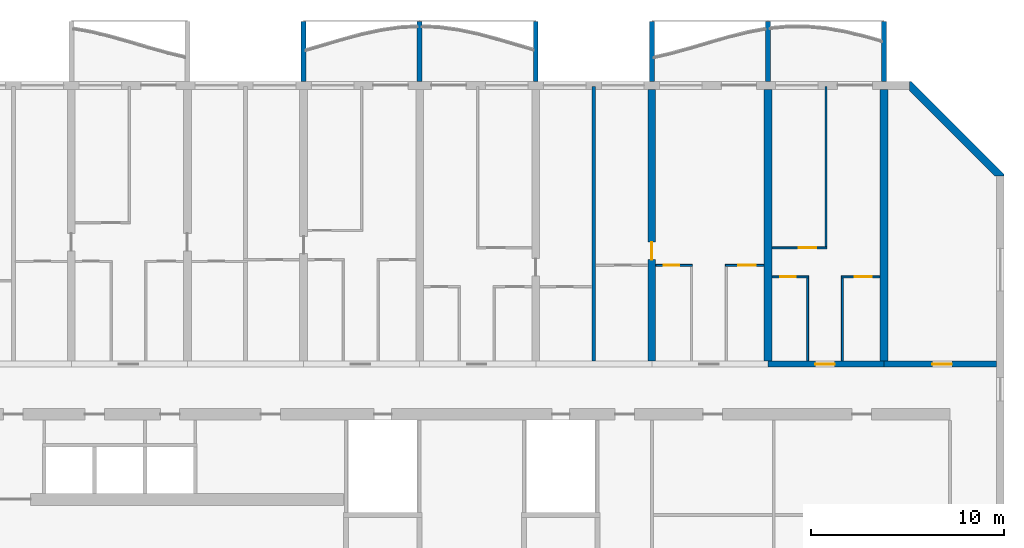
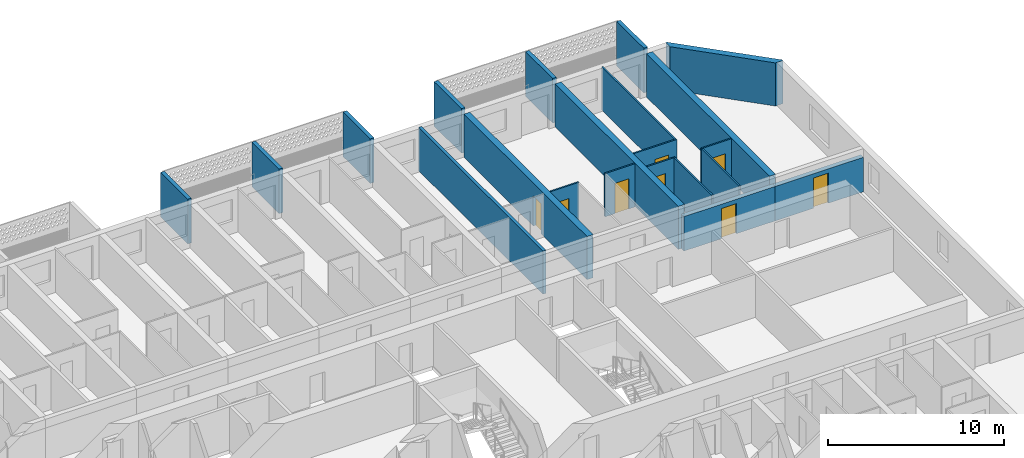
# One storey, part 17 of 38: 21 walls, 8 doors, 8 openings.
"""IFC4 building model written with IfcOpenShell, lengths in metres."""

import ifcopenshell
import ifcopenshell.guid

model = None  # the IFC model being written
_history = None  # IfcOwnerHistory: only IFC2X3 demands one
_inside = {}  # id of a spatial element -> (the spatial element, [elements in it])
_under = {}  # id of a project, library or spatial element -> (it, [spatial elements below it])
_declared = {}  # id of a project -> (the project, [libraries it declares])
_typed = {}  # id of a type object -> (the type object, [elements of that type])
_made_of = {}  # id of a material, layer set ... -> (it, [elements and type objects made of it])


def new_model(schema):
    """Start an empty IFC model of exactly this schema.

    Asked for "IFC4X3", IfcOpenShell would pick the latest addendum, in which some entities
    have other attributes; the version numbers below select the first issue.
    IFC2X3 requires an IfcOwnerHistory on every rooted entity: one is made here for all.
    """
    global model, _history
    if schema == "IFC4X3":
        model = ifcopenshell.file(schema_version=(4, 3, 0, 0))
    else:
        model = ifcopenshell.file(schema=schema)
    _inside.clear()
    _under.clear()
    _declared.clear()
    _typed.clear()
    _made_of.clear()
    _history = None
    if model.schema == "IFC2X3":
        org = make("IfcOrganization", Name="unknown")
        user = make(
            "IfcPersonAndOrganization",
            ThePerson=make("IfcPerson", FamilyName="unknown"),
            TheOrganization=org,
        )
        app = make(
            "IfcApplication",
            ApplicationDeveloper=org,
            Version="unknown",
            ApplicationFullName="unknown",
            ApplicationIdentifier="unknown",
        )
        _history = make(
            "IfcOwnerHistory",
            OwningUser=user,
            OwningApplication=app,
            ChangeAction="ADDED",
            CreationDate=0,
        )
    return model


def make(cls, **values):
    """One entity of the class cls with the attributes given. An attribute that is None is left unset."""
    return model.create_entity(
        cls, **{name: value for name, value in values.items() if value is not None}
    )


def rooted(cls, **values):
    """An entity with a GlobalId (a new one), such as an element, a storey or a relation."""
    return make(cls, GlobalId=ifcopenshell.guid.new(), OwnerHistory=_history, **values)


def si_unit(unit_type, name, prefix=None):
    """IfcSIUnit, for example si_unit("LENGTHUNIT", "METRE", prefix="MILLI")."""
    return make("IfcSIUnit", UnitType=unit_type, Prefix=prefix, Name=name)


def assignment(units):
    """IfcUnitAssignment: the units of a project."""
    return None if units is None else make("IfcUnitAssignment", Units=units)


def point(xyz):
    """IfcCartesianPoint."""
    return None if xyz is None else make("IfcCartesianPoint", Coordinates=xyz)


def direction(xyz):
    """IfcDirection."""
    return None if xyz is None else make("IfcDirection", DirectionRatios=xyz)


def frame(location, z_axis=None, x_axis=None):
    """IfcAxis2Placement3D, a coordinate frame: its origin and axes. An axis left out is left unset."""
    return make(
        "IfcAxis2Placement3D",
        Location=point(location),
        Axis=direction(z_axis),
        RefDirection=direction(x_axis),
    )


def frame_2d(location, x_axis=None):
    """IfcAxis2Placement2D, a coordinate frame in the plane: its origin and x axis."""
    return make(
        "IfcAxis2Placement2D", Location=point(location), RefDirection=direction(x_axis)
    )


def origin():
    """The frame at (0, 0, 0) with its axes left unset."""
    return frame((0.0, 0.0, 0.0))


def place(relative_to, where):
    """IfcLocalPlacement: puts the frame where relative to a parent placement (None: the world)."""
    return make(
        "IfcLocalPlacement", PlacementRelTo=relative_to, RelativePlacement=where
    )


def context(
    kind, dimensions, precision=None, world=None, true_north=None, identifier=None
):
    """IfcGeometricRepresentationContext, for example the 3D "Model" context."""
    return make(
        "IfcGeometricRepresentationContext",
        ContextIdentifier=identifier,
        ContextType=kind,
        CoordinateSpaceDimension=dimensions,
        Precision=precision,
        WorldCoordinateSystem=world,
        TrueNorth=true_north,
    )


def subcontext(parent, identifier, kind, view, scale=None):
    """IfcGeometricRepresentationSubContext, for example "Body" below "Model"."""
    return make(
        "IfcGeometricRepresentationSubContext",
        ContextIdentifier=identifier,
        ContextType=kind,
        ParentContext=parent,
        TargetScale=scale,
        TargetView=view,
    )


def project(units=None, contexts=None):
    """IfcProject with its units and contexts."""
    return rooted(
        "IfcProject",
        Name="project",
        RepresentationContexts=contexts,
        UnitsInContext=assignment(units),
    )


def spatial(cls, under=None, at=None, **own):
    """A site, building, storey or space (cls), placed at a placement, below another one or the project."""
    s = rooted(cls, ObjectPlacement=at, **own)
    if under is not None:
        _under.setdefault(under.id(), (under, []))[1].append(s)
    return s


def polyline(points):
    """IfcPolyline through the points."""
    return make("IfcPolyline", Points=[point(p) for p in points])


def profile(cls, at=None, kind="AREA", **sizes):
    """A parametric profile (cls). Its sizes go by their IFC names, for example OverallWidth=200.0."""
    return make(cls, ProfileType=kind, Position=at, **sizes)


def rectangle(**sizes):
    """IfcRectangleProfileDef."""
    return profile("IfcRectangleProfileDef", **sizes)


def outline(outer, holes=None, kind="AREA"):
    """IfcArbitraryClosedProfileDef: a profile drawn as a closed curve; with holes, ...WithVoids."""
    if holes is None:
        return make("IfcArbitraryClosedProfileDef", ProfileType=kind, OuterCurve=outer)
    return make(
        "IfcArbitraryProfileDefWithVoids",
        ProfileType=kind,
        OuterCurve=outer,
        InnerCurves=holes,
    )


def extrude(swept, where, along, depth):
    """IfcExtrudedAreaSolid: the profile swept, set in the frame where, extruded along a direction by depth."""
    return make(
        "IfcExtrudedAreaSolid",
        SweptArea=swept,
        Position=where,
        ExtrudedDirection=direction(along),
        Depth=depth,
    )


def shape(context_of_items, identifier, shape_type, items):
    """IfcShapeRepresentation: the items that make up one representation, for example the "Body"."""
    return make(
        "IfcShapeRepresentation",
        ContextOfItems=context_of_items,
        RepresentationIdentifier=identifier,
        RepresentationType=shape_type,
        Items=items,
    )


def source(mapping_origin, context_of_items, identifier, shape_type, items):
    """IfcRepresentationMap: a shape defined once, which mapped items show again and again."""
    return make(
        "IfcRepresentationMap",
        MappingOrigin=mapping_origin,
        MappedRepresentation=shape(context_of_items, identifier, shape_type, items),
    )


def transform(
    local_origin,
    x_axis=None,
    y_axis=None,
    z_axis=None,
    scale=None,
    scale2=None,
    scale3=None,
    uniform=True,
):
    """IfcCartesianTransformationOperator3D, or its non-uniform kind. x_axis, y_axis, z_axis: its Axis1, 2, 3."""
    if uniform:
        return make(
            "IfcCartesianTransformationOperator3D",
            Axis1=direction(x_axis),
            Axis2=direction(y_axis),
            LocalOrigin=point(local_origin),
            Scale=scale,
            Axis3=direction(z_axis),
        )
    return make(
        "IfcCartesianTransformationOperator3DnonUniform",
        Axis1=direction(x_axis),
        Axis2=direction(y_axis),
        LocalOrigin=point(local_origin),
        Scale=scale,
        Axis3=direction(z_axis),
        Scale2=scale2,
        Scale3=scale3,
    )


def mapped(mapping_source, mapping_target):
    """IfcMappedItem: shows the shape of a source again, moved by a transform."""
    return make(
        "IfcMappedItem", MappingSource=mapping_source, MappingTarget=mapping_target
    )


def material(Name=None, Category=None):
    """IfcMaterial."""
    return make("IfcMaterial", Name=Name, Category=Category)


def layer(
    of_material, thickness, ventilated=None, Name=None, Category=None, Priority=None
):
    """IfcMaterialLayer: one layer of a wall or slab, of a material (None: an air gap)."""
    return make(
        "IfcMaterialLayer",
        Material=of_material,
        LayerThickness=thickness,
        IsVentilated=ventilated,
        Name=Name,
        Category=Category,
        Priority=Priority,
    )


def layer_set(layers, Name=None):
    """IfcMaterialLayerSet."""
    return make("IfcMaterialLayerSet", MaterialLayers=layers, LayerSetName=Name)


def made_of(thing, what):
    """Note that an element or type object is made of a material, layer set ...; save() writes the relation."""
    if what is not None:
        _made_of.setdefault(what.id(), (what, []))[1].append(thing)
    return thing


def type_object(cls, material=None, **own):
    """A type object (cls), such as IfcWallType, which elements share."""
    return made_of(rooted(cls, **own), material)


def element(
    cls,
    number,
    at=None,
    inside=None,
    cuts=None,
    type_object=None,
    material=None,
    context=None,
    identifier="Body",
    shape_type=None,
    held_by="IfcProductDefinitionShape",
    body=None,
    shapes=None,
    **own,
):
    """One element of the class cls, such as IfcWall. Its Tag is "e" and its number.

    at: its placement. inside: the storey or other place that contains it. cuts: it is an
    opening in that element (IfcRelVoidsElement). A single representation is given by context,
    identifier, shape_type and body (its items); several are given by shapes. held_by: the class
    of the entity that holds the representations. save() writes the other relations.
    """
    e = rooted(cls, Tag="e%d" % number, ObjectPlacement=at, **own)
    if body is not None:
        shapes = [shape(context, identifier, shape_type, body)]
    if shapes is not None:
        e.Representation = make(held_by, Representations=shapes)
    if inside is not None:
        _inside.setdefault(inside.id(), (inside, []))[1].append(e)
    if cuts is not None:
        rooted(
            "IfcRelVoidsElement", RelatingBuildingElement=cuts, RelatedOpeningElement=e
        )
    if type_object is not None:
        _typed.setdefault(type_object.id(), (type_object, []))[1].append(e)
    return made_of(e, material)


def fill(opening, filler):
    """IfcRelFillsElement: the door or window that sits in an opening."""
    return rooted(
        "IfcRelFillsElement",
        RelatingOpeningElement=opening,
        RelatedBuildingElement=filler,
    )


def aggregate(whole, parts):
    """IfcRelAggregates: a whole, such as a stair, and the parts it consists of."""
    return rooted("IfcRelAggregates", RelatingObject=whole, RelatedObjects=parts)


def save(model, path):
    """Write the relations noted so far, then the file.

    IfcRelAggregates (storeys below a building ...), IfcRelContainedInSpatialStructure (elements
    in a storey), IfcRelDefinesByType, IfcRelAssociatesMaterial and IfcRelDeclares: one each for
    every whole, place, type object, material and project.
    """
    for whole, parts in _under.values():
        aggregate(whole, parts)
    for where, things in _inside.values():
        rooted(
            "IfcRelContainedInSpatialStructure",
            RelatedElements=things,
            RelatingStructure=where,
        )
    for kind, things in _typed.values():
        rooted("IfcRelDefinesByType", RelatedObjects=things, RelatingType=kind)
    for what, things in _made_of.values():
        rooted("IfcRelAssociatesMaterial", RelatedObjects=things, RelatingMaterial=what)
    for by, libraries in _declared.values():
        rooted("IfcRelDeclares", RelatingContext=by, RelatedDefinitions=libraries)
    model.write(path)


model = new_model("IFC4")

# Units and contexts
model_context = context("Model", 3, precision=1e-05, world=origin(), true_north=direction((0.0, 1.0)))
body_context = subcontext(model_context, "Body", "Model", "MODEL_VIEW")
ifc_project = project(units=[si_unit("LENGTHUNIT", "METRE"), si_unit("AREAUNIT", "SQUARE_METRE"), si_unit("VOLUMEUNIT", "CUBIC_METRE"), si_unit("PLANEANGLEUNIT", "RADIAN"), si_unit("MASSUNIT", "GRAM", prefix="KILO")], contexts=[model_context])

# Site, building, storey
site_placement = place(None, origin())
site = spatial("IfcSite", under=ifc_project, at=site_placement, CompositionType="ELEMENT")
building_placement = place(site_placement, origin())
building = spatial("IfcBuilding", under=site, at=building_placement, Name="Poui Terraces", CompositionType="ELEMENT")
storey_placement = place(building_placement, frame((0.0, 0.0, 49.800048828125)))
storey = spatial("IfcBuildingStorey", under=building, at=storey_placement, Name="L13", CompositionType="ELEMENT", Elevation=49.800048828125)

# Wall, opening, door
ifc_material_1 = material(Name="Concrete 80 MPa", Category="concrete")
ifc_layer_1 = layer(ifc_material_1, 0.300048828125)
ifc_layer_set_1 = layer_set([ifc_layer_1], Name="Concrete 80 MPa")
wall_type_1 = type_object("IfcWallType", Name="CORRIDOR WALL 300 80MPa", PredefinedType="SHEAR", material=ifc_layer_set_1)
wall_1_placement = place(storey_placement, frame((90.0, 30.39990234375, 0.0), z_axis=(0.0, 0.0, 1.0), x_axis=(1.0, 0.0, 0.0)))
wall_1 = element("IfcWall", 1, at=wall_1_placement, inside=storey, type_object=wall_type_1, Name="CORRIDOR WALL LINE E BAY 16", PredefinedType="SHEAR", context=body_context, shape_type="SweptSolid", body=[
    extrude(rectangle(XDim=6.0, YDim=0.300048828125, at=frame_2d((3.0, 0.0))), origin(), (0.0, 0.0, 1.0), 2.39990234375),
])
opening_1_placement = place(wall_1_placement, frame((2.449951171875, 0.0, 0.0)))
opening_1 = element("IfcOpeningElement", 2, at=opening_1_placement, cuts=wall_1, Name="Opening FD30S", PredefinedType="OPENING", context=body_context, shape_type="SweptSolid", body=[
    extrude(rectangle(XDim=1.0, YDim=2.10009765625, at=frame_2d((0.5, 1.050048828125))), frame((0.0, 0.16015625, 0.0), z_axis=(0.0, -1.0, 0.0), x_axis=(1.0, 0.0, 0.0)), (0.0, 0.0, 1.0), 0.320068359375),
])
ifc_material_2 = material(Name="Steel fire door", Category="steel")
door_type_1 = type_object("IfcDoorType", Name="FLAT ENTRANCE DOOR 1000 X 2100", OperationType="NOTDEFINED", PredefinedType="DOOR", material=ifc_material_2)
door_1_placement = place(opening_1_placement, origin())
door_1 = element("IfcDoor", 3, at=door_1_placement, inside=storey, type_object=door_type_1, Name="FLAT ENTRANCE DOOR 088", OperationType="SINGLE_SWING_LEFT", OverallHeight=2.10009765625, OverallWidth=1.0, PredefinedType="DOOR", context=body_context, shape_type="SweptSolid", body=[
    extrude(rectangle(XDim=1.0, YDim=2.10009765625, at=frame_2d((0.5, 1.050048828125))), frame((0.0, 0.02490234375, 0.0), z_axis=(0.0, -1.0, 0.0), x_axis=(1.0, 0.0, 0.0)), (0.0, 0.0, 1.0), 0.050048828125),
])
fill(opening_1, door_1)

wall_2_placement = place(storey_placement, frame((96.0, 30.39990234375, 0.0), z_axis=(0.0, 0.0, 1.0), x_axis=(1.0, 0.0, 0.0)))
wall_2 = element("IfcWall", 4, at=wall_2_placement, inside=storey, type_object=wall_type_1, Name="CORRIDOR WALL LINE E BAY 17", PredefinedType="SHEAR", context=body_context, shape_type="SweptSolid", body=[
    extrude(rectangle(XDim=5.800048828125, YDim=0.300048828125, at=frame_2d((2.89990234375, 0.0))), origin(), (0.0, 0.0, 1.0), 2.39990234375),
])
opening_2_placement = place(wall_2_placement, frame((2.5, 0.0, 0.0)))
opening_2 = element("IfcOpeningElement", 5, at=opening_2_placement, cuts=wall_2, Name="Opening D100", PredefinedType="OPENING", context=body_context, shape_type="SweptSolid", body=[
    extrude(rectangle(XDim=1.0, YDim=2.10009765625, at=frame_2d((0.5, 1.050048828125))), frame((0.0, 0.16015625, 0.0), z_axis=(0.0, -1.0, 0.0), x_axis=(1.0, 0.0, 0.0)), (0.0, 0.0, 1.0), 0.320068359375),
])
ifc_material_3 = material(Name="Solid core timber door", Category="wood")
door_type_2 = type_object("IfcDoorType", Name="ACCESSIBLE INTERNAL DOOR 1000 X 2100", OperationType="NOTDEFINED", PredefinedType="DOOR", material=ifc_material_3)
door_2_placement = place(opening_2_placement, origin())
door_2 = element("IfcDoor", 6, at=door_2_placement, inside=storey, type_object=door_type_2, Name="ACCESSIBLE INTERNAL DOOR 090", OperationType="SINGLE_SWING_LEFT", OverallHeight=2.10009765625, OverallWidth=1.0, PredefinedType="DOOR", context=body_context, shape_type="SweptSolid", body=[
    extrude(rectangle(XDim=1.0, YDim=2.10009765625, at=frame_2d((0.5, 1.050048828125))), frame((0.0, 0.02490234375, 0.0), z_axis=(0.0, -1.0, 0.0), x_axis=(1.0, 0.0, 0.0)), (0.0, 0.0, 1.0), 0.050048828125),
])
fill(opening_2, door_2)

ifc_layer_2 = layer(ifc_material_1, 0.39990234375)
ifc_layer_set_2 = layer_set([ifc_layer_2], Name="Concrete 80 MPa")
wall_type_2 = type_object("IfcWallType", Name="CROSS WALL 400 80MPa", PredefinedType="SHEAR", material=ifc_layer_set_2)
wall_3_placement = place(storey_placement, frame((84.0, 30.550048828125, 0.0), z_axis=(0.0, 0.0, 1.0), x_axis=(0.0, 1.0, 0.0)))
wall_3 = element("IfcWall", 7, at=wall_3_placement, inside=storey, type_object=wall_type_2, Name="CROSS WALL LINE 15 NORTH", PredefinedType="SHEAR", context=body_context, shape_type="SweptSolid", body=[
    extrude(rectangle(XDim=14.050048828125, YDim=0.39990234375, at=frame_2d((7.02490234375, 0.0))), origin(), (0.0, 0.0, 1.0), 3.0),
])
opening_3_placement = place(wall_3_placement, frame((5.25, 0.0, 0.0)))
opening_3 = element("IfcOpeningElement", 8, at=opening_3_placement, cuts=wall_3, Name="Opening D90", PredefinedType="OPENING", context=body_context, shape_type="SweptSolid", body=[
    extrude(rectangle(XDim=0.89990234375, YDim=2.10009765625, at=frame_2d((0.449951171875, 1.050048828125))), frame((0.0, 0.2099609375, 0.0), z_axis=(0.0, -1.0, 0.0), x_axis=(1.0, 0.0, 0.0)), (0.0, 0.0, 1.0), 0.419921875),
])
door_type_3 = type_object("IfcDoorType", Name="INTERNAL DOOR 900 X 2100", OperationType="NOTDEFINED", PredefinedType="DOOR", material=ifc_material_3)
door_3_placement = place(opening_3_placement, origin())
door_3 = element("IfcDoor", 9, at=door_3_placement, inside=storey, type_object=door_type_3, Name="INTERNAL DOOR 082", OperationType="SINGLE_SWING_LEFT", OverallHeight=2.10009765625, OverallWidth=0.89990234375, PredefinedType="DOOR", context=body_context, shape_type="SweptSolid", body=[
    extrude(rectangle(XDim=0.89990234375, YDim=2.10009765625, at=frame_2d((0.449951171875, 1.050048828125))), frame((0.0, 0.02490234375, 0.0), z_axis=(0.0, -1.0, 0.0), x_axis=(1.0, 0.0, 0.0)), (0.0, 0.0, 1.0), 0.050048828125),
])
fill(opening_3, door_3)

# Walls
for number, where, z_axis, x_axis, name in (
    (10, (90.0, 30.550048828125, 0.0), (0.0, 0.0, 1.0), (0.0, 1.0, 0.0), "CROSS WALL LINE 16 NORTH"),
    (11, (96.0, 30.550048828125, 0.0), (0.0, 0.0, 1.0), (0.0, 1.0, 0.0), "CROSS WALL LINE 17 NORTH"),
):
    element("IfcWall", number, at=place(storey_placement, frame(where, z_axis=z_axis, x_axis=x_axis)), inside=storey, type_object=wall_type_2, Name=name, PredefinedType="SHEAR", context=body_context, shape_type="SweptSolid", body=[
        extrude(rectangle(XDim=14.050048828125, YDim=0.39990234375, at=frame_2d((7.02490234375, 0.0))), origin(), (0.0, 0.0, 1.0), 3.0),
    ])

# Wall, opening, door
ifc_material_4 = material(Name="Plasterboard partition")
ifc_layer_3 = layer(ifc_material_4, 0.10009765625)
ifc_layer_set_3 = layer_set([ifc_layer_3], Name="Plasterboard partition")
wall_type_3 = type_object("IfcWallType", Name="FLAT PARTITION 100", PredefinedType="PARTITIONING", material=ifc_layer_set_3)
wall_4_placement = place(storey_placement, frame((90.2099609375, 34.89990234375, 0.0), z_axis=(0.0, 0.0, 1.0), x_axis=(1.0, 0.0, 0.0)))
wall_4 = element("IfcWall", 12, at=wall_4_placement, inside=storey, type_object=wall_type_3, Name="FLAT PARTITION 100", PredefinedType="PARTITIONING", context=body_context, shape_type="SweptSolid", body=[
    extrude(rectangle(XDim=1.89013671875, YDim=0.10009765625, at=frame_2d((0.945068359375, 0.0))), origin(), (0.0, 0.0, 1.0), 3.0),
])
opening_4_placement = place(wall_4_placement, frame((0.4150390625, 0.0, 0.0)))
opening_4 = element("IfcOpeningElement", 13, at=opening_4_placement, cuts=wall_4, Name="Opening D80", PredefinedType="OPENING", context=body_context, shape_type="SweptSolid", body=[
    extrude(rectangle(XDim=0.800048828125, YDim=2.10009765625, at=frame_2d((0.39990234375, 1.050048828125))), frame((0.0, 0.06005859375, 0.0), z_axis=(0.0, -1.0, 0.0), x_axis=(1.0, 0.0, 0.0)), (0.0, 0.0, 1.0), 0.1201171875),
])
door_type_4 = type_object("IfcDoorType", Name="BATHROOM, LAUNDRY AND STORE DOOR 800 X 2100", OperationType="NOTDEFINED", PredefinedType="DOOR", material=ifc_material_3)
door_4_placement = place(opening_4_placement, frame((0.800048828125, 0.0, 0.0), z_axis=(0.0, 0.0, 1.0), x_axis=(-1.0, 0.0, 0.0)))
door_4 = element("IfcDoor", 14, at=door_4_placement, inside=storey, type_object=door_type_4, Name="BATHROOM, LAUNDRY AND STORE DOOR 086", OperationType="SINGLE_SWING_LEFT", OverallHeight=2.10009765625, OverallWidth=0.800048828125, PredefinedType="DOOR", context=body_context, shape_type="SweptSolid", body=[
    extrude(rectangle(XDim=0.800048828125, YDim=2.10009765625, at=frame_2d((0.39990234375, 1.050048828125))), frame((0.0, 0.02490234375, 0.0), z_axis=(0.0, -1.0, 0.0), x_axis=(1.0, 0.0, 0.0)), (0.0, 0.0, 1.0), 0.050048828125),
])
fill(opening_4, door_4)

wall_5_placement = place(storey_placement, frame((93.800048828125, 34.89990234375, 0.0), z_axis=(0.0, 0.0, 1.0), x_axis=(1.0, 0.0, 0.0)))
wall_5 = element("IfcWall", 15, at=wall_5_placement, inside=storey, type_object=wall_type_3, Name="FLAT PARTITION 100", PredefinedType="PARTITIONING", context=body_context, shape_type="SweptSolid", body=[
    extrude(rectangle(XDim=1.989990234375, YDim=0.10009765625, at=frame_2d((0.9951171875, 0.0))), origin(), (0.0, 0.0, 1.0), 3.0),
])
opening_5_placement = place(wall_5_placement, frame((0.675048828125, 0.0, 0.0)))
opening_5 = element("IfcOpeningElement", 16, at=opening_5_placement, cuts=wall_5, Name="Opening D90", PredefinedType="OPENING", context=body_context, shape_type="SweptSolid", body=[
    extrude(rectangle(XDim=0.89990234375, YDim=2.10009765625, at=frame_2d((0.449951171875, 1.050048828125))), frame((0.0, 0.06005859375, 0.0), z_axis=(0.0, -1.0, 0.0), x_axis=(1.0, 0.0, 0.0)), (0.0, 0.0, 1.0), 0.1201171875),
])
door_5_placement = place(opening_5_placement, frame((0.89990234375, 0.0, 0.0), z_axis=(0.0, 0.0, 1.0), x_axis=(-1.0, 0.0, 0.0)))
door_5 = element("IfcDoor", 17, at=door_5_placement, inside=storey, type_object=door_type_3, Name="INTERNAL DOOR 089", OperationType="SINGLE_SWING_RIGHT", OverallHeight=2.10009765625, OverallWidth=0.89990234375, PredefinedType="DOOR", context=body_context, shape_type="SweptSolid", body=[
    extrude(rectangle(XDim=0.89990234375, YDim=2.10009765625, at=frame_2d((0.449951171875, 1.050048828125))), frame((0.0, 0.02490234375, 0.0), z_axis=(0.0, -1.0, 0.0), x_axis=(1.0, 0.0, 0.0)), (0.0, 0.0, 1.0), 0.050048828125),
])
fill(opening_5, door_5)

wall_6_placement = place(storey_placement, frame((84.2099609375, 35.5, 0.0), z_axis=(0.0, 0.0, 1.0), x_axis=(1.0, 0.0, 0.0)))
wall_6 = element("IfcWall", 18, at=wall_6_placement, inside=storey, type_object=wall_type_3, Name="FLAT PARTITION 100", PredefinedType="PARTITIONING", context=body_context, shape_type="SweptSolid", body=[
    extrude(rectangle(XDim=1.89013671875, YDim=0.10009765625, at=frame_2d((0.945068359375, 0.0))), origin(), (0.0, 0.0, 1.0), 3.0),
])
opening_6_placement = place(wall_6_placement, frame((0.4150390625, 0.0, 0.0)))
opening_6 = element("IfcOpeningElement", 19, at=opening_6_placement, cuts=wall_6, Name="Opening D80", PredefinedType="OPENING", context=body_context, shape_type="SweptSolid", body=[
    extrude(rectangle(XDim=0.800048828125, YDim=2.10009765625, at=frame_2d((0.39990234375, 1.050048828125))), frame((0.0, 0.06005859375, 0.0), z_axis=(0.0, -1.0, 0.0), x_axis=(1.0, 0.0, 0.0)), (0.0, 0.0, 1.0), 0.1201171875),
])
door_6_placement = place(opening_6_placement, frame((0.800048828125, 0.0, 0.0), z_axis=(0.0, 0.0, 1.0), x_axis=(-1.0, 0.0, 0.0)))
door_6 = element("IfcDoor", 20, at=door_6_placement, inside=storey, type_object=door_type_4, Name="BATHROOM, LAUNDRY AND STORE DOOR 083", OperationType="SINGLE_SWING_LEFT", OverallHeight=2.10009765625, OverallWidth=0.800048828125, PredefinedType="DOOR", context=body_context, shape_type="SweptSolid", body=[
    extrude(rectangle(XDim=0.800048828125, YDim=2.10009765625, at=frame_2d((0.39990234375, 1.050048828125))), frame((0.0, 0.02490234375, 0.0), z_axis=(0.0, -1.0, 0.0), x_axis=(1.0, 0.0, 0.0)), (0.0, 0.0, 1.0), 0.050048828125),
])
fill(opening_6, door_6)

wall_7_placement = place(storey_placement, frame((87.800048828125, 35.5, 0.0), z_axis=(0.0, 0.0, 1.0), x_axis=(1.0, 0.0, 0.0)))
wall_7 = element("IfcWall", 21, at=wall_7_placement, inside=storey, type_object=wall_type_3, Name="FLAT PARTITION 100", PredefinedType="PARTITIONING", context=body_context, shape_type="SweptSolid", body=[
    extrude(rectangle(XDim=1.989990234375, YDim=0.10009765625, at=frame_2d((0.9951171875, 0.0))), origin(), (0.0, 0.0, 1.0), 3.0),
])
opening_7_placement = place(wall_7_placement, frame((0.675048828125, 0.0, 0.0)))
opening_7 = element("IfcOpeningElement", 22, at=opening_7_placement, cuts=wall_7, Name="Opening D90", PredefinedType="OPENING", context=body_context, shape_type="SweptSolid", body=[
    extrude(rectangle(XDim=0.89990234375, YDim=2.10009765625, at=frame_2d((0.449951171875, 1.050048828125))), frame((0.0, 0.06005859375, 0.0), z_axis=(0.0, -1.0, 0.0), x_axis=(1.0, 0.0, 0.0)), (0.0, 0.0, 1.0), 0.1201171875),
])
door_7_placement = place(opening_7_placement, frame((0.89990234375, 0.0, 0.0), z_axis=(0.0, 0.0, 1.0), x_axis=(-1.0, 0.0, 0.0)))
door_7 = element("IfcDoor", 23, at=door_7_placement, inside=storey, type_object=door_type_3, Name="INTERNAL DOOR 085", OperationType="SINGLE_SWING_RIGHT", OverallHeight=2.10009765625, OverallWidth=0.89990234375, PredefinedType="DOOR", context=body_context, shape_type="SweptSolid", body=[
    extrude(rectangle(XDim=0.89990234375, YDim=2.10009765625, at=frame_2d((0.449951171875, 1.050048828125))), frame((0.0, 0.02490234375, 0.0), z_axis=(0.0, -1.0, 0.0), x_axis=(1.0, 0.0, 0.0)), (0.0, 0.0, 1.0), 0.050048828125),
])
fill(opening_7, door_7)

wall_8_placement = place(storey_placement, frame((90.2099609375, 36.39990234375, 0.0), z_axis=(0.0, 0.0, 1.0), x_axis=(1.0, 0.0, 0.0)))
wall_8 = element("IfcWall", 24, at=wall_8_placement, inside=storey, type_object=wall_type_3, Name="FLAT PARTITION 100", PredefinedType="PARTITIONING", context=body_context, shape_type="SweptSolid", body=[
    extrude(rectangle(XDim=2.840087890625, YDim=0.10009765625, at=frame_2d((1.419921875, 0.0))), origin(), (0.0, 0.0, 1.0), 3.0),
])
opening_8_placement = place(wall_8_placement, frame((1.389892578125, 0.0, 0.0)))
opening_8 = element("IfcOpeningElement", 25, at=opening_8_placement, cuts=wall_8, Name="Opening D90", PredefinedType="OPENING", context=body_context, shape_type="SweptSolid", body=[
    extrude(rectangle(XDim=0.89990234375, YDim=2.10009765625, at=frame_2d((0.449951171875, 1.050048828125))), frame((0.0, 0.06005859375, 0.0), z_axis=(0.0, -1.0, 0.0), x_axis=(1.0, 0.0, 0.0)), (0.0, 0.0, 1.0), 0.1201171875),
])
door_8_placement = place(opening_8_placement, frame((0.89990234375, 0.0, 0.0), z_axis=(0.0, 0.0, 1.0), x_axis=(-1.0, 0.0, 0.0)))
door_8 = element("IfcDoor", 26, at=door_8_placement, inside=storey, type_object=door_type_3, Name="INTERNAL DOOR 087", OperationType="SINGLE_SWING_RIGHT", OverallHeight=2.10009765625, OverallWidth=0.89990234375, PredefinedType="DOOR", context=body_context, shape_type="SweptSolid", body=[
    extrude(rectangle(XDim=0.89990234375, YDim=2.10009765625, at=frame_2d((0.449951171875, 1.050048828125))), frame((0.0, 0.02490234375, 0.0), z_axis=(0.0, -1.0, 0.0), x_axis=(1.0, 0.0, 0.0)), (0.0, 0.0, 1.0), 0.050048828125),
])
fill(opening_8, door_8)

# Walls
wall_9_placement = place(storey_placement, frame((92.050048828125, 30.56005859375, 0.0), z_axis=(0.0, 0.0, 1.0), x_axis=(0.0, 1.0, 0.0)))
element("IfcWall", 27, at=wall_9_placement, inside=storey, type_object=wall_type_3, Name="FLAT PARTITION 100", PredefinedType="PARTITIONING", context=body_context, shape_type="SweptSolid", body=[
    extrude(rectangle(XDim=4.2900390625, YDim=0.10009765625, at=frame_2d((2.14501953125, 0.0))), origin(), (0.0, 0.0, 1.0), 3.0),
])
wall_10_placement = place(storey_placement, frame((93.0, 36.449951171875, 0.0), z_axis=(0.0, 0.0, 1.0), x_axis=(0.0, 1.0, 0.0)))
element("IfcWall", 28, at=wall_10_placement, inside=storey, type_object=wall_type_3, Name="FLAT PARTITION 100", PredefinedType="PARTITIONING", context=body_context, shape_type="SweptSolid", body=[
    extrude(rectangle(XDim=8.2900390625, YDim=0.10009765625, at=frame_2d((4.14501953125, 0.0))), origin(), (0.0, 0.0, 1.0), 3.0),
])
wall_11_placement = place(storey_placement, frame((93.85009765625, 30.56005859375, 0.0), z_axis=(0.0, 0.0, 1.0), x_axis=(0.0, 1.0, 0.0)))
element("IfcWall", 29, at=wall_11_placement, inside=storey, type_object=wall_type_3, Name="FLAT PARTITION 100", PredefinedType="PARTITIONING", context=body_context, shape_type="SweptSolid", body=[
    extrude(rectangle(XDim=4.2900390625, YDim=0.10009765625, at=frame_2d((2.14501953125, 0.0))), origin(), (0.0, 0.0, 1.0), 3.0),
])
ifc_material_5 = material(Name="Fire-rated masonry wall", Category="masonry")
ifc_layer_4 = layer(ifc_material_5, 0.199951171875)
ifc_layer_set_4 = layer_set([ifc_layer_4], Name="Fire-rated masonry wall")
wall_type_4 = type_object("IfcWallType", Name="FLAT PARTY WALL 200", PredefinedType="PARTITIONING", material=ifc_layer_set_4)
wall_12_placement = place(storey_placement, frame((81.0, 30.56005859375, 0.0), z_axis=(0.0, 0.0, 1.0), x_axis=(0.0, 1.0, 0.0)))
element("IfcWall", 30, at=wall_12_placement, inside=storey, type_object=wall_type_4, Name="FLAT PARTY WALL 200", PredefinedType="PARTITIONING", context=body_context, shape_type="SweptSolid", body=[
    extrude(rectangle(XDim=14.179931640625, YDim=0.199951171875, at=frame_2d((7.08984375, 0.0))), origin(), (0.0, 0.0, 1.0), 3.0),
])
ifc_material_6 = material(Name="Precast concrete 40 MPa", Category="concrete")
ifc_layer_5 = layer(ifc_material_6, 0.39990234375)
ifc_layer_set_5 = layer_set([ifc_layer_5], Name="Precast concrete 40 MPa")
wall_type_5 = type_object("IfcWallType", Name="TERRACOTTA CLAD CHAMFER WALL 400", PredefinedType="STANDARD", material=ifc_layer_set_5)
wall_13_placement = place(storey_placement, origin())
element("IfcWall", 31, at=wall_13_placement, inside=storey, type_object=wall_type_5, Name="CHAMFER WALL CH03", PredefinedType="STANDARD", context=body_context, shape_type="SweptSolid", body=[
    extrude(outline(polyline([(102.199951171875, 40.1171875), (102.199951171875, 40.199951171875), (97.39990234375, 45.0), (97.317138671875, 45.0), (97.317138671875, 44.51708984375), (101.71728515625, 40.1171875), (102.199951171875, 40.1171875)])), origin(), (0.0, 0.0, 1.0), 3.0),
])
ifc_layer_6 = layer(ifc_material_6, 0.25)
ifc_layer_set_6 = layer_set([ifc_layer_6], Name="Precast concrete 40 MPa")
wall_type_6 = type_object("IfcWallType", Name="BALCONY FIN 250", PredefinedType="STANDARD", material=ifc_layer_set_6)
shared_shape = source(origin(), body_context, "Body", "SweptSolid", [
    extrude(outline(polyline([(0.0, 0.0), (0.25, 0.0), (0.25, 3.10009765625), (0.0, 3.10009765625), (0.0, 0.0)])), origin(), (0.0, 0.0, 1.0), 3.099853515625),
])
for number, where, name in (
    (32, (65.875, 45.0, 0.0), "BALCONY FIN"),
    (33, (71.875, 45.0, 0.0), "BALCONY FIN"),
    (34, (77.875, 45.0, 0.0), "BALCONY FIN"),
    (35, (83.875, 45.0, 0.0), "BALCONY FIN"),
    (36, (89.875, 45.0, 0.0), "BALCONY FIN"),
    (37, (95.875, 45.0, 0.0), "BALCONY FIN"),
):
    element("IfcWall", number, at=place(storey_placement, frame(where)), inside=storey, type_object=wall_type_6, Name=name, PredefinedType="STANDARD", context=body_context, shape_type="MappedRepresentation", body=[
        mapped(shared_shape, transform((0.0, 0.0, 0.0))),
    ])

save(model, "model.ifc")
